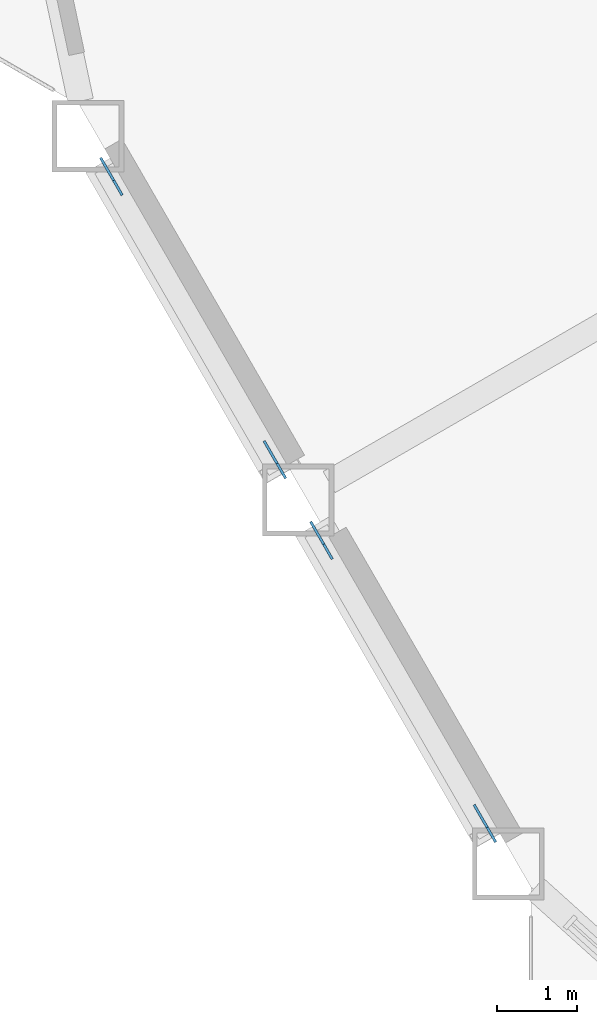
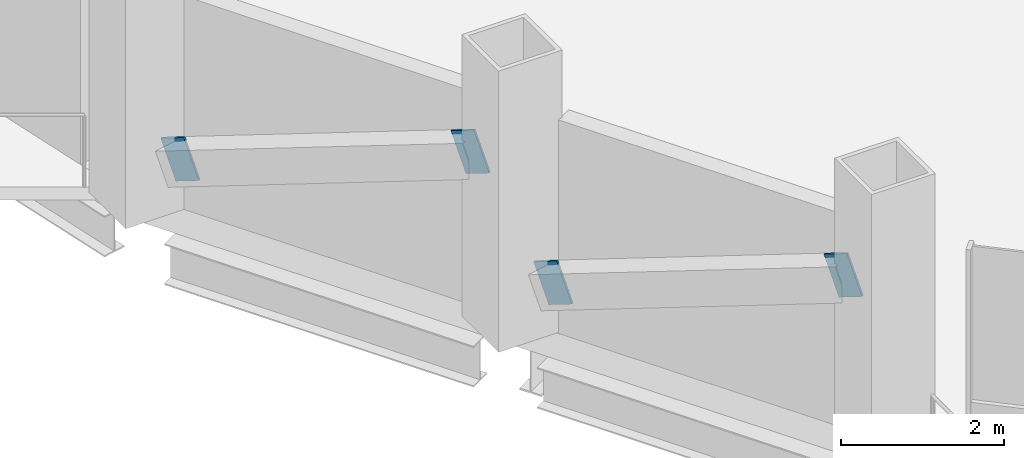
# One storey, part 14 of 21: 4 discrete accessories.
"""IFC4 building model written with IfcOpenShell, lengths in metres."""

from ifc_helpers import new_model, si_unit, direction, frame, origin, origin_2d, place, context, subcontext, project, spatial, rectangle, extrude, material, material_profile, profile_set, type_object, element, save


model = new_model("IFC4")

# Units and contexts
model_context = context("Model", 3, precision=1e-05, world=origin(), true_north=direction((0.0, 1.0)))
body_context = subcontext(model_context, "Body", "Model", "MODEL_VIEW")
ifc_project = project(units=[si_unit("LENGTHUNIT", "METRE"), si_unit("AREAUNIT", "SQUARE_METRE"), si_unit("VOLUMEUNIT", "CUBIC_METRE"), si_unit("PLANEANGLEUNIT", "RADIAN"), si_unit("MASSUNIT", "GRAM", prefix="KILO")], contexts=[model_context])

# Site, building, storey
site_placement = place(None, origin())
site = spatial("IfcSite", under=ifc_project, at=site_placement, CompositionType="ELEMENT")
building_placement = place(site_placement, origin())
building = spatial("IfcBuilding", under=site, at=building_placement, Name="Cormorant Prow Tower", CompositionType="ELEMENT")
storey_placement = place(building_placement, frame((0.0, 0.0, 129.0)))
storey = spatial("IfcBuildingStorey", under=building, at=storey_placement, Name="L27", CompositionType="ELEMENT", Elevation=129.0)

# Discrete accessories
ifc_material = material(Name="Structural steel ASTM A500 Gr C", Category="steel")
ifc_material_profile = material_profile(ifc_material, rectangle(XDim=0.031982421875, YDim=0.60791015625, at=origin_2d()), Name="Gusset plate 32x608")
ifc_profile_set = profile_set([ifc_material_profile], Name="Structural steel ASTM A500 Gr C")
discrete_accessory_type = type_object("IfcDiscreteAccessoryType", Name="Gusset plate 32x608", PredefinedType="BRACKET", material=ifc_profile_set)
for number, where, z_axis, x_axis, name in (
    (1, (-30.39501953125, -12.328125, 0.882568359375), (-0.467787927946, 0.810088781331, -0.353455260013), (-0.865987003449, -0.500066505434, 0.0), "Gusset plate GP1 L27.WSW00.g0"),
    (2, (-28.5087890625, -15.59521484375, 2.306396484375), (0.467903125124, -0.810288273314, 0.352844979601), (0.865987003449, 0.500066505434, 0.0), "Gusset plate GP1 L27.WSW00.g1"),
    (3, (-27.76025390625, -16.8916015625, 0.882568359375), (-0.468052223063, 0.809848928429, -0.35365495841), (-0.865800459427, -0.500389412813, 0.0), "Gusset plate GP1 L27.WSW01.g0"),
    (4, (-25.8740234375, -20.158935546875, 2.306396484375), (0.467903125124, -0.810288273314, 0.352844979601), (0.865987003449, 0.500066505434, 0.0), "Gusset plate GP1 L27.WSW01.g1"),
):
    element("IfcDiscreteAccessory", number, at=place(storey_placement, frame(where, z_axis=z_axis, x_axis=x_axis)), inside=storey, type_object=discrete_accessory_type, Name=name, PredefinedType="BRACKET", context=body_context, shape_type="SweptSolid", body=[
        extrude(rectangle(XDim=0.031982421875, YDim=0.60791015625, at=origin_2d()), origin(), (0.0, 0.0, 1.0), 0.35009765625),
    ])

save(model, "model.ifc")
